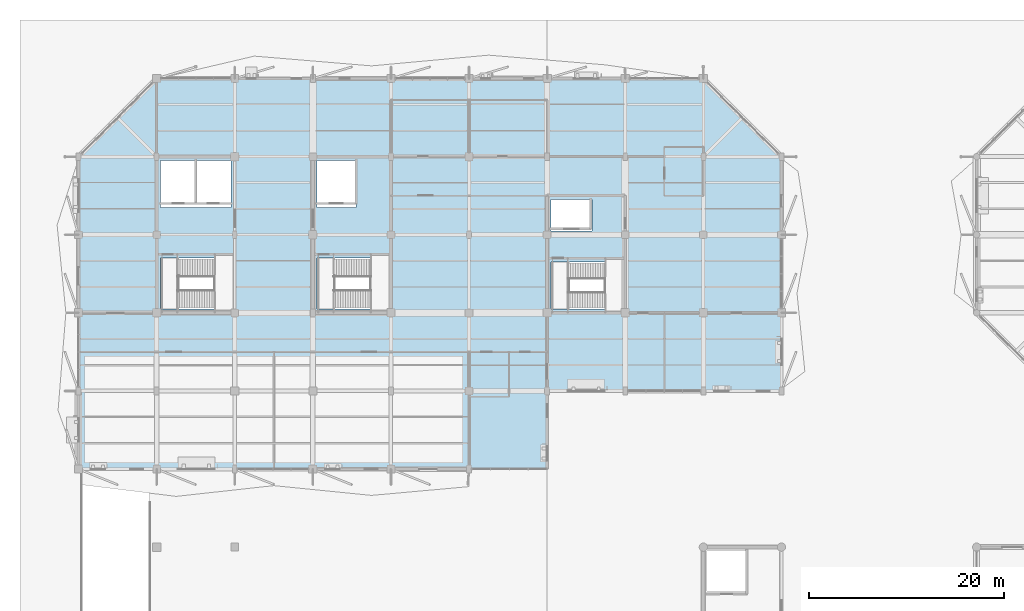
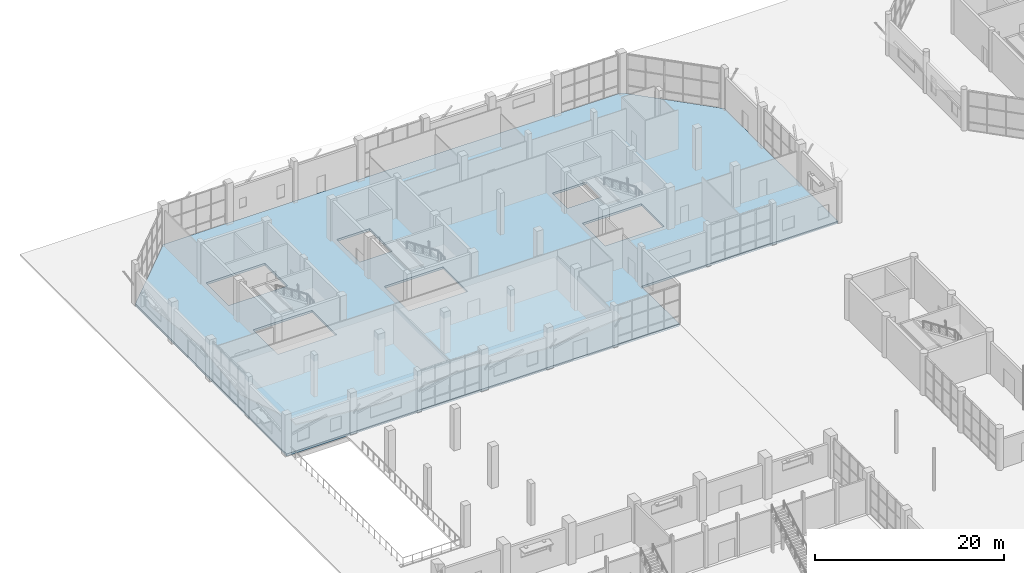
# One storey, part 77 of 123: 1 slab.
"""IFC4 building model written with IfcOpenShell, lengths in metres."""

import ifcopenshell
import ifcopenshell.guid

model = None  # the IFC model being written
_history = None  # IfcOwnerHistory: only IFC2X3 demands one
_inside = {}  # id of a spatial element -> (the spatial element, [elements in it])
_under = {}  # id of a project, library or spatial element -> (it, [spatial elements below it])
_declared = {}  # id of a project -> (the project, [libraries it declares])
_typed = {}  # id of a type object -> (the type object, [elements of that type])
_made_of = {}  # id of a material, layer set ... -> (it, [elements and type objects made of it])


def new_model(schema):
    """Start an empty IFC model of exactly this schema.

    Asked for "IFC4X3", IfcOpenShell would pick the latest addendum, in which some entities
    have other attributes; the version numbers below select the first issue.
    IFC2X3 requires an IfcOwnerHistory on every rooted entity: one is made here for all.
    """
    global model, _history
    if schema == "IFC4X3":
        model = ifcopenshell.file(schema_version=(4, 3, 0, 0))
    else:
        model = ifcopenshell.file(schema=schema)
    _inside.clear()
    _under.clear()
    _declared.clear()
    _typed.clear()
    _made_of.clear()
    _history = None
    if model.schema == "IFC2X3":
        org = make("IfcOrganization", Name="unknown")
        user = make(
            "IfcPersonAndOrganization",
            ThePerson=make("IfcPerson", FamilyName="unknown"),
            TheOrganization=org,
        )
        app = make(
            "IfcApplication",
            ApplicationDeveloper=org,
            Version="unknown",
            ApplicationFullName="unknown",
            ApplicationIdentifier="unknown",
        )
        _history = make(
            "IfcOwnerHistory",
            OwningUser=user,
            OwningApplication=app,
            ChangeAction="ADDED",
            CreationDate=0,
        )
    return model


def make(cls, **values):
    """One entity of the class cls with the attributes given. An attribute that is None is left unset."""
    return model.create_entity(
        cls, **{name: value for name, value in values.items() if value is not None}
    )


def rooted(cls, **values):
    """An entity with a GlobalId (a new one), such as an element, a storey or a relation."""
    return make(cls, GlobalId=ifcopenshell.guid.new(), OwnerHistory=_history, **values)


def si_unit(unit_type, name, prefix=None):
    """IfcSIUnit, for example si_unit("LENGTHUNIT", "METRE", prefix="MILLI")."""
    return make("IfcSIUnit", UnitType=unit_type, Prefix=prefix, Name=name)


def assignment(units):
    """IfcUnitAssignment: the units of a project."""
    return None if units is None else make("IfcUnitAssignment", Units=units)


def point(xyz):
    """IfcCartesianPoint."""
    return None if xyz is None else make("IfcCartesianPoint", Coordinates=xyz)


def direction(xyz):
    """IfcDirection."""
    return None if xyz is None else make("IfcDirection", DirectionRatios=xyz)


def frame(location, z_axis=None, x_axis=None):
    """IfcAxis2Placement3D, a coordinate frame: its origin and axes. An axis left out is left unset."""
    return make(
        "IfcAxis2Placement3D",
        Location=point(location),
        Axis=direction(z_axis),
        RefDirection=direction(x_axis),
    )


def origin():
    """The frame at (0, 0, 0) with its axes left unset."""
    return frame((0.0, 0.0, 0.0))


def place(relative_to, where):
    """IfcLocalPlacement: puts the frame where relative to a parent placement (None: the world)."""
    return make(
        "IfcLocalPlacement", PlacementRelTo=relative_to, RelativePlacement=where
    )


def context(
    kind, dimensions, precision=None, world=None, true_north=None, identifier=None
):
    """IfcGeometricRepresentationContext, for example the 3D "Model" context."""
    return make(
        "IfcGeometricRepresentationContext",
        ContextIdentifier=identifier,
        ContextType=kind,
        CoordinateSpaceDimension=dimensions,
        Precision=precision,
        WorldCoordinateSystem=world,
        TrueNorth=true_north,
    )


def subcontext(parent, identifier, kind, view, scale=None):
    """IfcGeometricRepresentationSubContext, for example "Body" below "Model"."""
    return make(
        "IfcGeometricRepresentationSubContext",
        ContextIdentifier=identifier,
        ContextType=kind,
        ParentContext=parent,
        TargetScale=scale,
        TargetView=view,
    )


def project(units=None, contexts=None):
    """IfcProject with its units and contexts."""
    return rooted(
        "IfcProject",
        Name="project",
        RepresentationContexts=contexts,
        UnitsInContext=assignment(units),
    )


def spatial(cls, under=None, at=None, **own):
    """A site, building, storey or space (cls), placed at a placement, below another one or the project."""
    s = rooted(cls, ObjectPlacement=at, **own)
    if under is not None:
        _under.setdefault(under.id(), (under, []))[1].append(s)
    return s


def polyline(points):
    """IfcPolyline through the points."""
    return make("IfcPolyline", Points=[point(p) for p in points])


def outline(outer, holes=None, kind="AREA"):
    """IfcArbitraryClosedProfileDef: a profile drawn as a closed curve; with holes, ...WithVoids."""
    if holes is None:
        return make("IfcArbitraryClosedProfileDef", ProfileType=kind, OuterCurve=outer)
    return make(
        "IfcArbitraryProfileDefWithVoids",
        ProfileType=kind,
        OuterCurve=outer,
        InnerCurves=holes,
    )


def extrude(swept, where, along, depth):
    """IfcExtrudedAreaSolid: the profile swept, set in the frame where, extruded along a direction by depth."""
    return make(
        "IfcExtrudedAreaSolid",
        SweptArea=swept,
        Position=where,
        ExtrudedDirection=direction(along),
        Depth=depth,
    )


def shape(context_of_items, identifier, shape_type, items):
    """IfcShapeRepresentation: the items that make up one representation, for example the "Body"."""
    return make(
        "IfcShapeRepresentation",
        ContextOfItems=context_of_items,
        RepresentationIdentifier=identifier,
        RepresentationType=shape_type,
        Items=items,
    )


def material(Name=None, Category=None):
    """IfcMaterial."""
    return make("IfcMaterial", Name=Name, Category=Category)


def layer(
    of_material, thickness, ventilated=None, Name=None, Category=None, Priority=None
):
    """IfcMaterialLayer: one layer of a wall or slab, of a material (None: an air gap)."""
    return make(
        "IfcMaterialLayer",
        Material=of_material,
        LayerThickness=thickness,
        IsVentilated=ventilated,
        Name=Name,
        Category=Category,
        Priority=Priority,
    )


def layer_set(layers, Name=None):
    """IfcMaterialLayerSet."""
    return make("IfcMaterialLayerSet", MaterialLayers=layers, LayerSetName=Name)


def made_of(thing, what):
    """Note that an element or type object is made of a material, layer set ...; save() writes the relation."""
    if what is not None:
        _made_of.setdefault(what.id(), (what, []))[1].append(thing)
    return thing


def type_object(cls, material=None, **own):
    """A type object (cls), such as IfcWallType, which elements share."""
    return made_of(rooted(cls, **own), material)


def element(
    cls,
    number,
    at=None,
    inside=None,
    cuts=None,
    type_object=None,
    material=None,
    context=None,
    identifier="Body",
    shape_type=None,
    held_by="IfcProductDefinitionShape",
    body=None,
    shapes=None,
    **own,
):
    """One element of the class cls, such as IfcWall. Its Tag is "e" and its number.

    at: its placement. inside: the storey or other place that contains it. cuts: it is an
    opening in that element (IfcRelVoidsElement). A single representation is given by context,
    identifier, shape_type and body (its items); several are given by shapes. held_by: the class
    of the entity that holds the representations. save() writes the other relations.
    """
    e = rooted(cls, Tag="e%d" % number, ObjectPlacement=at, **own)
    if body is not None:
        shapes = [shape(context, identifier, shape_type, body)]
    if shapes is not None:
        e.Representation = make(held_by, Representations=shapes)
    if inside is not None:
        _inside.setdefault(inside.id(), (inside, []))[1].append(e)
    if cuts is not None:
        rooted(
            "IfcRelVoidsElement", RelatingBuildingElement=cuts, RelatedOpeningElement=e
        )
    if type_object is not None:
        _typed.setdefault(type_object.id(), (type_object, []))[1].append(e)
    return made_of(e, material)


def aggregate(whole, parts):
    """IfcRelAggregates: a whole, such as a stair, and the parts it consists of."""
    return rooted("IfcRelAggregates", RelatingObject=whole, RelatedObjects=parts)


def save(model, path):
    """Write the relations noted so far, then the file.

    IfcRelAggregates (storeys below a building ...), IfcRelContainedInSpatialStructure (elements
    in a storey), IfcRelDefinesByType, IfcRelAssociatesMaterial and IfcRelDeclares: one each for
    every whole, place, type object, material and project.
    """
    for whole, parts in _under.values():
        aggregate(whole, parts)
    for where, things in _inside.values():
        rooted(
            "IfcRelContainedInSpatialStructure",
            RelatedElements=things,
            RelatingStructure=where,
        )
    for kind, things in _typed.values():
        rooted("IfcRelDefinesByType", RelatedObjects=things, RelatingType=kind)
    for what, things in _made_of.values():
        rooted("IfcRelAssociatesMaterial", RelatedObjects=things, RelatingMaterial=what)
    for by, libraries in _declared.values():
        rooted("IfcRelDeclares", RelatingContext=by, RelatedDefinitions=libraries)
    model.write(path)


model = new_model("IFC4")

# Units and contexts
model_context = context("Model", 3, precision=1e-05, world=origin(), true_north=direction((0.0, 1.0)))
body_context = subcontext(model_context, "Body", "Model", "MODEL_VIEW")
ifc_project = project(units=[si_unit("LENGTHUNIT", "METRE"), si_unit("AREAUNIT", "SQUARE_METRE"), si_unit("VOLUMEUNIT", "CUBIC_METRE"), si_unit("PLANEANGLEUNIT", "RADIAN"), si_unit("MASSUNIT", "GRAM", prefix="KILO")], contexts=[model_context])

# Site, building, storey
site_placement = place(None, origin())
site = spatial("IfcSite", under=ifc_project, at=site_placement, CompositionType="ELEMENT")
building_placement = place(site_placement, origin())
building = spatial("IfcBuilding", under=site, at=building_placement, Name="Tenunan Teduh Sports Hall", CompositionType="ELEMENT")
storey_placement = place(building_placement, origin())
storey = spatial("IfcBuildingStorey", under=building, at=storey_placement, Name="L00", CompositionType="ELEMENT", Elevation=0.0)

# Slab
ifc_material = material(Name="Concrete C40/50", Category="concrete")
ifc_layer = layer(ifc_material, 0.280029296875)
ifc_layer_set = layer_set([ifc_layer], Name="Concrete C40/50")
slab_type = type_object("IfcSlabType", Name="SLB-FLR-280", PredefinedType="FLOOR", material=ifc_layer_set)
slab_placement = place(storey_placement, frame((0.0, 0.0, -0.280029296875)))
element("IfcSlab", 1, at=slab_placement, inside=storey, type_object=slab_type, Name="SL-L00-V5W", PredefinedType="FLOOR", context=body_context, shape_type="SweptSolid", body=[
    extrude(outline(polyline([(6.0, 78.0), (54.0, 78.0), (54.0, 86.0), (78.0, 86.0), (78.0, 110.0), (70.0, 118.0), (14.0, 118.0), (6.0, 110.0), (6.0, 78.0)]), holes=[polyline([(14.39990234375, 94.39990234375), (21.60009765625, 94.39990234375), (21.60009765625, 99.60009765625), (14.39990234375, 99.60009765625), (14.39990234375, 94.39990234375)]), polyline([(14.39990234375, 104.800048828125), (21.60009765625, 104.800048828125), (21.60009765625, 109.60009765625), (14.39990234375, 109.60009765625), (14.39990234375, 104.800048828125)]), polyline([(30.39990234375, 94.39990234375), (37.60009765625, 94.39990234375), (37.60009765625, 99.60009765625), (30.39990234375, 99.60009765625), (30.39990234375, 94.39990234375)]), polyline([(30.39990234375, 104.800048828125), (34.39990234375, 104.800048828125), (34.39990234375, 109.60009765625), (30.39990234375, 109.60009765625), (30.39990234375, 104.800048828125)]), polyline([(54.39990234375, 94.39990234375), (61.60009765625, 94.39990234375), (61.60009765625, 99.199951171875), (54.39990234375, 99.199951171875), (54.39990234375, 94.39990234375)]), polyline([(54.39990234375, 102.39990234375), (58.60009765625, 102.39990234375), (58.60009765625, 105.60009765625), (54.39990234375, 105.60009765625), (54.39990234375, 102.39990234375)])]), origin(), (0.0, 0.0, 1.0), 0.280029296875),
])

save(model, "model.ifc")
